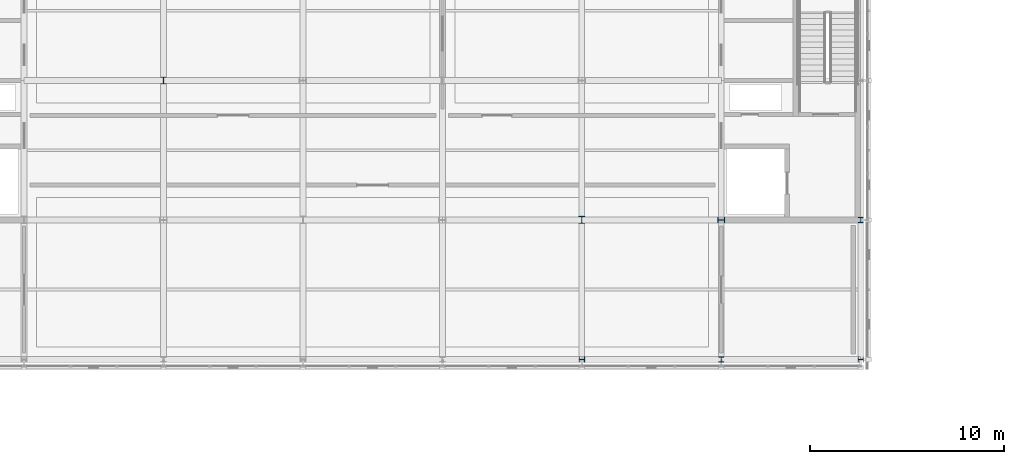
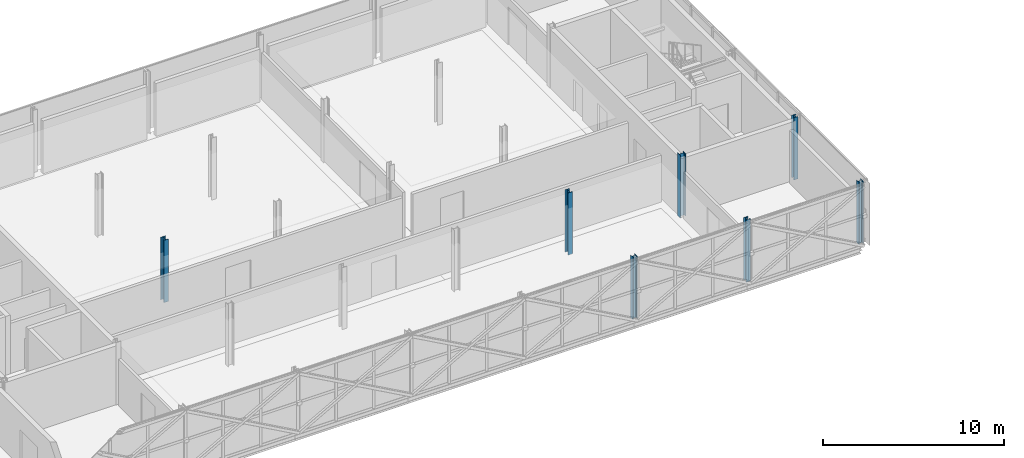
# One storey, part 10 of 103: 7 columns.
"""IFC4 building model written with IfcOpenShell, lengths in metres."""

from ifc_helpers import new_model, si_unit, direction, frame, origin, origin_2d, place, context, subcontext, project, spatial, i_section, extrude, material, material_profile, profile_set, type_object, element, save


model = new_model("IFC4")

# Units and contexts
model_context = context("Model", 3, precision=1e-05, world=origin(), true_north=direction((0.0, 1.0)))
body_context = subcontext(model_context, "Body", "Model", "MODEL_VIEW")
ifc_project = project(units=[si_unit("LENGTHUNIT", "METRE"), si_unit("AREAUNIT", "SQUARE_METRE"), si_unit("VOLUMEUNIT", "CUBIC_METRE"), si_unit("PLANEANGLEUNIT", "RADIAN"), si_unit("MASSUNIT", "GRAM", prefix="KILO")], contexts=[model_context])

# Site, building, storey
site_placement = place(None, origin())
site = spatial("IfcSite", under=ifc_project, at=site_placement, CompositionType="ELEMENT")
building_placement = place(site_placement, origin())
building = spatial("IfcBuilding", under=site, at=building_placement, Name="Zlatovets Crest Museum", CompositionType="ELEMENT")
storey_placement = place(building_placement, frame((0.0, 0.0, 12.89990234375)))
storey = spatial("IfcBuildingStorey", under=building, at=storey_placement, Name="L03", CompositionType="ELEMENT", Elevation=12.89990234375)

# Columns
ifc_material = material(Name="Structural steel S355J2", Category="steel")
ifc_material_profile_1 = material_profile(ifc_material, i_section(OverallWidth=0.300048828125, OverallDepth=0.360107421875, WebThickness=0.012451171875, FlangeThickness=0.0224609375, FilletRadius=0.027099609375, at=origin_2d()), Name="HEB 360")
ifc_profile_set_1 = profile_set([ifc_material_profile_1], Name="Structural steel S355J2")
column_type_1 = type_object("IfcColumnType", Name="Col_C-08", PredefinedType="COLUMN", material=ifc_profile_set_1)
for number, where, z_axis, x_axis, name in (
    (1, (72.0, 100.800048828125, 0.0), (0.0, 0.0, 1.0), (1.0, 0.0, 0.0), "V1 L03 Column (72.0, 100.8)"),
    (2, (93.60009765625, 93.60009765625, 0.0), (0.0, 0.0, 1.0), (1.0, 0.0, 0.0), "V1 L03 Column (93.6, 93.6)"),
    (3, (100.800048828125, 93.60009765625, 0.0), (0.0, 0.0, 1.0), (0.0, 1.0, 0.0), "V1 L03 Column (100.8, 93.6)"),
):
    element("IfcColumn", number, at=place(storey_placement, frame(where, z_axis=z_axis, x_axis=x_axis)), inside=storey, type_object=column_type_1, Name=name, PredefinedType="COLUMN", context=body_context, shape_type="SweptSolid", body=[
        extrude(i_section(OverallWidth=0.300048828125, OverallDepth=0.360107421875, WebThickness=0.012451171875, FlangeThickness=0.0224609375, FilletRadius=0.027099609375, at=origin_2d()), origin(), (0.0, 0.0, 1.0), 4.2001953125),
    ])
ifc_material_profile_2 = material_profile(ifc_material, i_section(OverallWidth=0.280029296875, OverallDepth=0.280029296875, WebThickness=0.010498046875, FlangeThickness=0.01806640625, FilletRadius=0.02392578125, at=origin_2d()), Name="HEB 280")
ifc_profile_set_2 = profile_set([ifc_material_profile_2], Name="Structural steel S355J2")
column_type_2 = type_object("IfcColumnType", Name="Col_C-17", PredefinedType="COLUMN", material=ifc_profile_set_2)
for number, where, z_axis, x_axis, name in (
    (4, (93.60009765625, 86.39990234375, 0.0), (0.0, 0.0, 1.0), (0.0, 1.0, 0.0), "V1 L03 Column (93.6, 86.4)"),
    (5, (100.800048828125, 86.39990234375, 0.0), (0.0, 0.0, 1.0), (1.0, 0.0, 0.0), "V1 L03 Column (100.8, 86.4)"),
    (6, (108.0, 86.39990234375, 0.0), (0.0, 0.0, 1.0), (0.0, 1.0, 0.0), "V1 L03 Column (108.0, 86.4)"),
    (7, (108.0, 93.60009765625, 0.0), (0.0, 0.0, 1.0), (1.0, 0.0, 0.0), "V1 L03 Column (108.0, 93.6)"),
):
    element("IfcColumn", number, at=place(storey_placement, frame(where, z_axis=z_axis, x_axis=x_axis)), inside=storey, type_object=column_type_2, Name=name, PredefinedType="COLUMN", context=body_context, shape_type="SweptSolid", body=[
        extrude(i_section(OverallWidth=0.280029296875, OverallDepth=0.280029296875, WebThickness=0.010498046875, FlangeThickness=0.01806640625, FilletRadius=0.02392578125, at=origin_2d()), origin(), (0.0, 0.0, 1.0), 4.2001953125),
    ])

save(model, "model.ifc")
